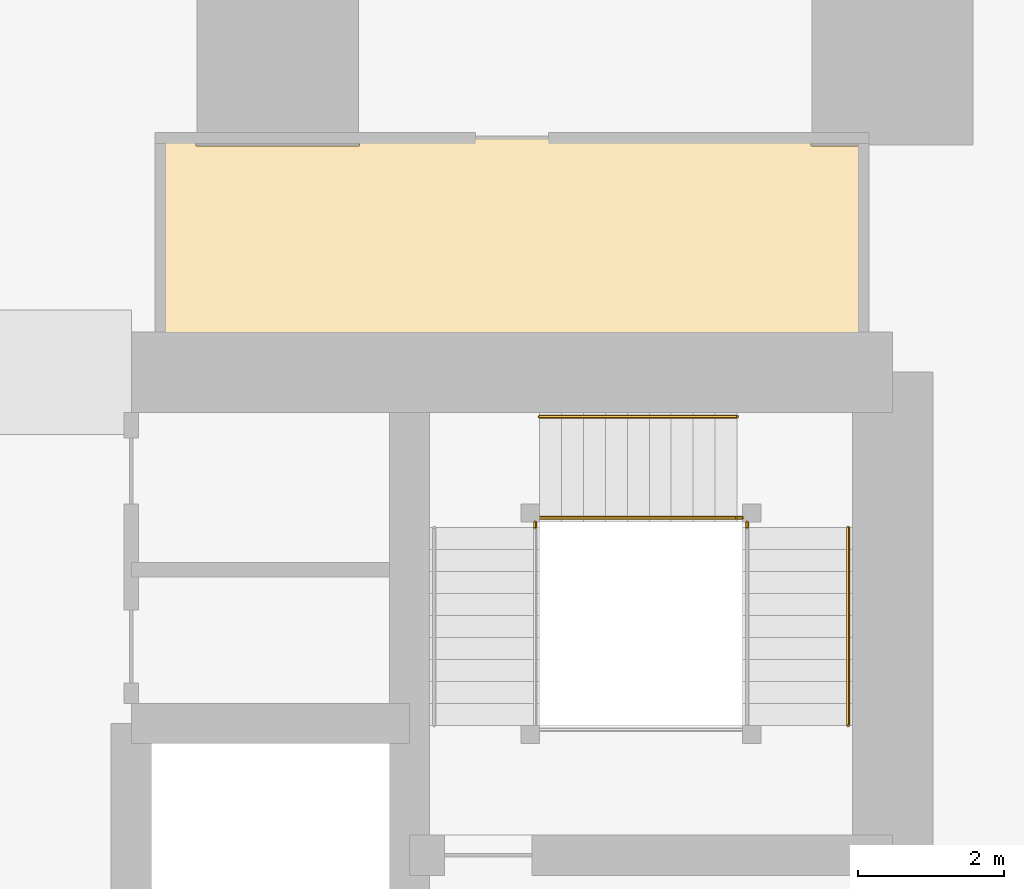
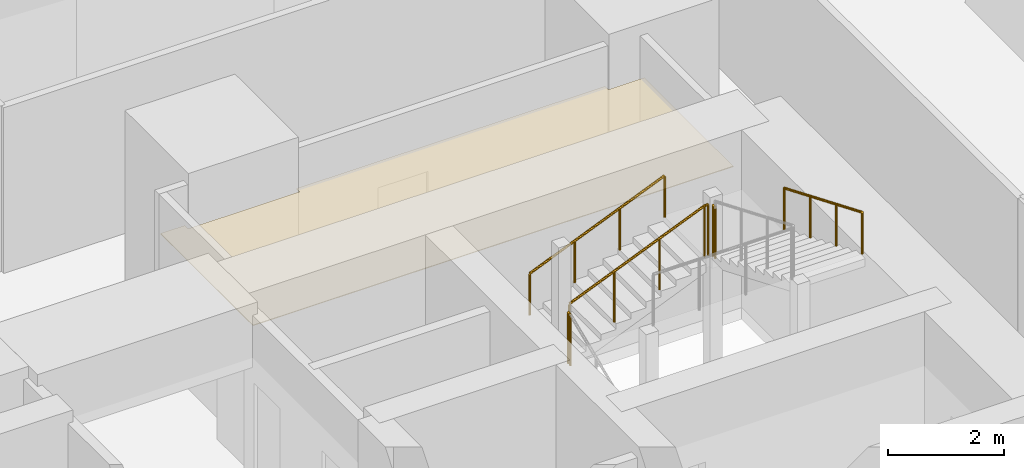
# One storey, part 43 of 44: 6 railings, 1 covering.
"""IFC4 building model written with IfcOpenShell, lengths in metres."""

import ifcopenshell
import ifcopenshell.guid

model = None  # the IFC model being written
_history = None  # IfcOwnerHistory: only IFC2X3 demands one
_inside = {}  # id of a spatial element -> (the spatial element, [elements in it])
_under = {}  # id of a project, library or spatial element -> (it, [spatial elements below it])
_declared = {}  # id of a project -> (the project, [libraries it declares])
_typed = {}  # id of a type object -> (the type object, [elements of that type])
_made_of = {}  # id of a material, layer set ... -> (it, [elements and type objects made of it])


def new_model(schema):
    """Start an empty IFC model of exactly this schema.

    Asked for "IFC4X3", IfcOpenShell would pick the latest addendum, in which some entities
    have other attributes; the version numbers below select the first issue.
    IFC2X3 requires an IfcOwnerHistory on every rooted entity: one is made here for all.
    """
    global model, _history
    if schema == "IFC4X3":
        model = ifcopenshell.file(schema_version=(4, 3, 0, 0))
    else:
        model = ifcopenshell.file(schema=schema)
    _inside.clear()
    _under.clear()
    _declared.clear()
    _typed.clear()
    _made_of.clear()
    _history = None
    if model.schema == "IFC2X3":
        org = make("IfcOrganization", Name="unknown")
        user = make(
            "IfcPersonAndOrganization",
            ThePerson=make("IfcPerson", FamilyName="unknown"),
            TheOrganization=org,
        )
        app = make(
            "IfcApplication",
            ApplicationDeveloper=org,
            Version="unknown",
            ApplicationFullName="unknown",
            ApplicationIdentifier="unknown",
        )
        _history = make(
            "IfcOwnerHistory",
            OwningUser=user,
            OwningApplication=app,
            ChangeAction="ADDED",
            CreationDate=0,
        )
    return model


def make(cls, **values):
    """One entity of the class cls with the attributes given. An attribute that is None is left unset."""
    return model.create_entity(
        cls, **{name: value for name, value in values.items() if value is not None}
    )


def rooted(cls, **values):
    """An entity with a GlobalId (a new one), such as an element, a storey or a relation."""
    return make(cls, GlobalId=ifcopenshell.guid.new(), OwnerHistory=_history, **values)


def si_unit(unit_type, name, prefix=None):
    """IfcSIUnit, for example si_unit("LENGTHUNIT", "METRE", prefix="MILLI")."""
    return make("IfcSIUnit", UnitType=unit_type, Prefix=prefix, Name=name)


def assignment(units):
    """IfcUnitAssignment: the units of a project."""
    return None if units is None else make("IfcUnitAssignment", Units=units)


def point(xyz):
    """IfcCartesianPoint."""
    return None if xyz is None else make("IfcCartesianPoint", Coordinates=xyz)


def direction(xyz):
    """IfcDirection."""
    return None if xyz is None else make("IfcDirection", DirectionRatios=xyz)


def frame(location, z_axis=None, x_axis=None):
    """IfcAxis2Placement3D, a coordinate frame: its origin and axes. An axis left out is left unset."""
    return make(
        "IfcAxis2Placement3D",
        Location=point(location),
        Axis=direction(z_axis),
        RefDirection=direction(x_axis),
    )


def frame_2d(location, x_axis=None):
    """IfcAxis2Placement2D, a coordinate frame in the plane: its origin and x axis."""
    return make(
        "IfcAxis2Placement2D", Location=point(location), RefDirection=direction(x_axis)
    )


def origin():
    """The frame at (0, 0, 0) with its axes left unset."""
    return frame((0.0, 0.0, 0.0))


def origin_2d():
    """The frame at (0, 0) in the plane with its x axis left unset."""
    return frame_2d((0.0, 0.0))


def place(relative_to, where):
    """IfcLocalPlacement: puts the frame where relative to a parent placement (None: the world)."""
    return make(
        "IfcLocalPlacement", PlacementRelTo=relative_to, RelativePlacement=where
    )


def context(
    kind, dimensions, precision=None, world=None, true_north=None, identifier=None
):
    """IfcGeometricRepresentationContext, for example the 3D "Model" context."""
    return make(
        "IfcGeometricRepresentationContext",
        ContextIdentifier=identifier,
        ContextType=kind,
        CoordinateSpaceDimension=dimensions,
        Precision=precision,
        WorldCoordinateSystem=world,
        TrueNorth=true_north,
    )


def subcontext(parent, identifier, kind, view, scale=None):
    """IfcGeometricRepresentationSubContext, for example "Body" below "Model"."""
    return make(
        "IfcGeometricRepresentationSubContext",
        ContextIdentifier=identifier,
        ContextType=kind,
        ParentContext=parent,
        TargetScale=scale,
        TargetView=view,
    )


def project(units=None, contexts=None):
    """IfcProject with its units and contexts."""
    return rooted(
        "IfcProject",
        Name="project",
        RepresentationContexts=contexts,
        UnitsInContext=assignment(units),
    )


def spatial(cls, under=None, at=None, **own):
    """A site, building, storey or space (cls), placed at a placement, below another one or the project."""
    s = rooted(cls, ObjectPlacement=at, **own)
    if under is not None:
        _under.setdefault(under.id(), (under, []))[1].append(s)
    return s


def polyline(points):
    """IfcPolyline through the points."""
    return make("IfcPolyline", Points=[point(p) for p in points])


def profile(cls, at=None, kind="AREA", **sizes):
    """A parametric profile (cls). Its sizes go by their IFC names, for example OverallWidth=200.0."""
    return make(cls, ProfileType=kind, Position=at, **sizes)


def circle(**sizes):
    """IfcCircleProfileDef."""
    return profile("IfcCircleProfileDef", **sizes)


def outline(outer, holes=None, kind="AREA"):
    """IfcArbitraryClosedProfileDef: a profile drawn as a closed curve; with holes, ...WithVoids."""
    if holes is None:
        return make("IfcArbitraryClosedProfileDef", ProfileType=kind, OuterCurve=outer)
    return make(
        "IfcArbitraryProfileDefWithVoids",
        ProfileType=kind,
        OuterCurve=outer,
        InnerCurves=holes,
    )


def extrude(swept, where, along, depth):
    """IfcExtrudedAreaSolid: the profile swept, set in the frame where, extruded along a direction by depth."""
    return make(
        "IfcExtrudedAreaSolid",
        SweptArea=swept,
        Position=where,
        ExtrudedDirection=direction(along),
        Depth=depth,
    )


def shape(context_of_items, identifier, shape_type, items):
    """IfcShapeRepresentation: the items that make up one representation, for example the "Body"."""
    return make(
        "IfcShapeRepresentation",
        ContextOfItems=context_of_items,
        RepresentationIdentifier=identifier,
        RepresentationType=shape_type,
        Items=items,
    )


def material(Name=None, Category=None):
    """IfcMaterial."""
    return make("IfcMaterial", Name=Name, Category=Category)


def layer(
    of_material, thickness, ventilated=None, Name=None, Category=None, Priority=None
):
    """IfcMaterialLayer: one layer of a wall or slab, of a material (None: an air gap)."""
    return make(
        "IfcMaterialLayer",
        Material=of_material,
        LayerThickness=thickness,
        IsVentilated=ventilated,
        Name=Name,
        Category=Category,
        Priority=Priority,
    )


def layer_set(layers, Name=None):
    """IfcMaterialLayerSet."""
    return make("IfcMaterialLayerSet", MaterialLayers=layers, LayerSetName=Name)


def made_of(thing, what):
    """Note that an element or type object is made of a material, layer set ...; save() writes the relation."""
    if what is not None:
        _made_of.setdefault(what.id(), (what, []))[1].append(thing)
    return thing


def type_object(cls, material=None, **own):
    """A type object (cls), such as IfcWallType, which elements share."""
    return made_of(rooted(cls, **own), material)


def element(
    cls,
    number,
    at=None,
    inside=None,
    cuts=None,
    type_object=None,
    material=None,
    context=None,
    identifier="Body",
    shape_type=None,
    held_by="IfcProductDefinitionShape",
    body=None,
    shapes=None,
    **own,
):
    """One element of the class cls, such as IfcWall. Its Tag is "e" and its number.

    at: its placement. inside: the storey or other place that contains it. cuts: it is an
    opening in that element (IfcRelVoidsElement). A single representation is given by context,
    identifier, shape_type and body (its items); several are given by shapes. held_by: the class
    of the entity that holds the representations. save() writes the other relations.
    """
    e = rooted(cls, Tag="e%d" % number, ObjectPlacement=at, **own)
    if body is not None:
        shapes = [shape(context, identifier, shape_type, body)]
    if shapes is not None:
        e.Representation = make(held_by, Representations=shapes)
    if inside is not None:
        _inside.setdefault(inside.id(), (inside, []))[1].append(e)
    if cuts is not None:
        rooted(
            "IfcRelVoidsElement", RelatingBuildingElement=cuts, RelatedOpeningElement=e
        )
    if type_object is not None:
        _typed.setdefault(type_object.id(), (type_object, []))[1].append(e)
    return made_of(e, material)


def aggregate(whole, parts):
    """IfcRelAggregates: a whole, such as a stair, and the parts it consists of."""
    return rooted("IfcRelAggregates", RelatingObject=whole, RelatedObjects=parts)


def save(model, path):
    """Write the relations noted so far, then the file.

    IfcRelAggregates (storeys below a building ...), IfcRelContainedInSpatialStructure (elements
    in a storey), IfcRelDefinesByType, IfcRelAssociatesMaterial and IfcRelDeclares: one each for
    every whole, place, type object, material and project.
    """
    for whole, parts in _under.values():
        aggregate(whole, parts)
    for where, things in _inside.values():
        rooted(
            "IfcRelContainedInSpatialStructure",
            RelatedElements=things,
            RelatingStructure=where,
        )
    for kind, things in _typed.values():
        rooted("IfcRelDefinesByType", RelatedObjects=things, RelatingType=kind)
    for what, things in _made_of.values():
        rooted("IfcRelAssociatesMaterial", RelatedObjects=things, RelatingMaterial=what)
    for by, libraries in _declared.values():
        rooted("IfcRelDeclares", RelatingContext=by, RelatedDefinitions=libraries)
    model.write(path)


model = new_model("IFC4")

# Units and contexts
model_context = context("Model", 3, precision=1e-05, world=origin(), true_north=direction((0.0, 1.0)))
body_context = subcontext(model_context, "Body", "Model", "MODEL_VIEW")
ifc_project = project(units=[si_unit("LENGTHUNIT", "METRE"), si_unit("AREAUNIT", "SQUARE_METRE"), si_unit("VOLUMEUNIT", "CUBIC_METRE"), si_unit("PLANEANGLEUNIT", "RADIAN"), si_unit("MASSUNIT", "GRAM", prefix="KILO")], contexts=[model_context])

# Site, building, storey
site_placement = place(None, origin())
site = spatial("IfcSite", under=ifc_project, at=site_placement, CompositionType="ELEMENT")
building_placement = place(site_placement, origin())
building = spatial("IfcBuilding", under=site, at=building_placement, Name="Rekha Terrace Tower", CompositionType="ELEMENT")
storey_placement = place(building_placement, frame((0.0, 0.0, 59.14990234375)))
storey = spatial("IfcBuildingStorey", under=building, at=storey_placement, Name="L14", CompositionType="ELEMENT", Elevation=59.14990234375)

# Covering
ifc_material_1 = material(Name="Fibre cement board", Category="finish")
ifc_layer = layer(ifc_material_1, 0.014892578125)
ifc_layer_set = layer_set([ifc_layer], Name="Fibre cement board")
covering_type = type_object("IfcCoveringType", Name="CL2 moisture-resistant board ceiling", PredefinedType="CEILING", material=ifc_layer_set)
covering_placement = place(storey_placement, frame((0.0, 0.0, 2.585205078125)))
element("IfcCovering", 1, at=covering_placement, inside=storey, type_object=covering_type, Name="Ceiling L14-WCF", PredefinedType="CEILING", context=body_context, shape_type="SweptSolid", body=[
    extrude(outline(polyline([(40.885009765625, 49.39990234375), (40.39990234375, 49.39990234375), (40.39990234375, 46.199951171875), (50.0, 46.199951171875), (50.0, 49.284912109375), (49.284912109375, 49.284912109375), (49.284912109375, 49.39990234375), (43.114990234375, 49.39990234375), (43.114990234375, 49.284912109375), (40.885009765625, 49.284912109375), (40.885009765625, 49.39990234375)])), origin(), (0.0, 0.0, 1.0), 0.014892578125),
])

# Railings
ifc_material_2 = material(Name="Stainless steel balustrade", Category="steel")
railing_type_1 = type_object("IfcRailingType", Name="GR1 1100 stair guard", PredefinedType="GUARDRAIL", material=ifc_material_2)
railing_1_placement = place(storey_placement, frame((45.574951171875, 44.2099609375, 1.375)))
element("IfcRailing", 2, at=railing_1_placement, inside=storey, type_object=railing_type_1, Name="Guard ST2 L14 flight 2", PredefinedType="GUARDRAIL", context=body_context, shape_type="SweptSolid", body=[
    extrude(circle(Radius=0.02392578125, at=origin_2d()), frame((0.0, 0.0, 1.076171875), z_axis=(0.923074453586, 0.0, 0.384621311341), x_axis=(0.0, 1.0, 0.0)), (0.0, 0.0, 1.0), 2.925048828125),
    extrude(circle(Radius=0.02099609375, at=origin_2d()), origin(), (0.0, 0.0, 1.0), 1.052001953125),
    extrude(circle(Radius=0.02099609375, at=origin_2d()), frame((0.89990234375, 0.0, 0.375)), (0.0, 0.0, 1.0), 1.052001953125),
    extrude(circle(Radius=0.02099609375, at=origin_2d()), frame((1.800048828125, 0.0, 0.75)), (0.0, 0.0, 1.0), 1.052001953125),
    extrude(circle(Radius=0.02099609375, at=origin_2d()), frame((2.699951171875, 0.0, 1.125)), (0.0, 0.0, 1.0), 1.052001953125),
])
railing_2_placement = place(storey_placement, frame((45.514892578125, 44.074951171875, 1.25)))
element("IfcRailing", 3, at=railing_2_placement, inside=storey, type_object=railing_type_1, Name="Guard ST2 L14 landing 1", PredefinedType="GUARDRAIL", context=body_context, shape_type="SweptSolid", body=[
    extrude(circle(Radius=0.02392578125, at=origin_2d()), frame((0.0, 0.0, 1.076171875), z_axis=(0.0, 1.0, 0.0), x_axis=(-1.0, 0.0, 0.0)), (0.0, 0.0, 1.0), 0.074951171875),
    extrude(circle(Radius=0.02099609375, at=origin_2d()), origin(), (0.0, 0.0, 1.0), 1.052001953125),
    extrude(circle(Radius=0.02099609375, at=origin_2d()), frame((0.0, 0.074951171875, 0.0)), (0.0, 0.0, 1.0), 1.052001953125),
])
railing_3_placement = place(storey_placement, frame((48.27490234375, 44.2099609375, 2.5)))
element("IfcRailing", 4, at=railing_3_placement, inside=storey, type_object=railing_type_1, Name="Guard ST2 L14 landing 2", PredefinedType="GUARDRAIL", context=body_context, shape_type="SweptSolid", body=[
    extrude(circle(Radius=0.02392578125, at=origin_2d()), frame((0.0, 0.0, 1.076171875), z_axis=(1.0, 0.0, 0.0), x_axis=(0.0, 1.0, 0.0)), (0.0, 0.0, 1.0), 0.0751953125),
    extrude(circle(Radius=0.02099609375, at=origin_2d()), origin(), (0.0, 0.0, 1.0), 1.052001953125),
    extrude(circle(Radius=0.02099609375, at=origin_2d()), frame((0.0751953125, 0.0, 0.0)), (0.0, 0.0, 1.0), 1.052001953125),
])
railing_4_placement = place(storey_placement, frame((48.409912109375, 44.074951171875, 2.5)))
element("IfcRailing", 5, at=railing_4_placement, inside=storey, type_object=railing_type_1, Name="Guard ST2 L14 landing 3", PredefinedType="GUARDRAIL", context=body_context, shape_type="SweptSolid", body=[
    extrude(circle(Radius=0.02392578125, at=origin_2d()), frame((0.0, 0.0, 1.076171875), z_axis=(0.0, 1.0, 0.0), x_axis=(-1.0, 0.0, 0.0)), (0.0, 0.0, 1.0), 0.074951171875),
    extrude(circle(Radius=0.02099609375, at=origin_2d()), origin(), (0.0, 0.0, 1.0), 1.052001953125),
    extrude(circle(Radius=0.02099609375, at=origin_2d()), frame((0.0, 0.074951171875, 0.0)), (0.0, 0.0, 1.0), 1.052001953125),
])
ifc_material_3 = material(Name="Stainless steel tube", Category="steel")
railing_type_2 = type_object("IfcRailingType", Name="HR1 900 stair handrail", PredefinedType="HANDRAIL", material=ifc_material_3)
railing_5_placement = place(storey_placement, frame((45.574951171875, 45.590087890625, 1.375)))
element("IfcRailing", 6, at=railing_5_placement, inside=storey, type_object=railing_type_2, Name="Handrail ST2 L14 flight 2", PredefinedType="HANDRAIL", context=body_context, shape_type="SweptSolid", body=[
    extrude(circle(Radius=0.02392578125, at=origin_2d()), frame((0.0, 0.0, 0.8759765625), z_axis=(0.923074453586, 0.0, 0.384621311341), x_axis=(0.0, 1.0, 0.0)), (0.0, 0.0, 1.0), 2.925048828125),
    extrude(circle(Radius=0.02099609375, at=origin_2d()), origin(), (0.0, 0.0, 1.0), 0.851806640625),
    extrude(circle(Radius=0.02099609375, at=origin_2d()), frame((0.89990234375, 0.0, 0.375)), (0.0, 0.0, 1.0), 0.851806640625),
    extrude(circle(Radius=0.02099609375, at=origin_2d()), frame((1.800048828125, 0.0, 0.75)), (0.0, 0.0, 1.0), 0.851806640625),
    extrude(circle(Radius=0.02099609375, at=origin_2d()), frame((2.699951171875, 0.0, 1.125)), (0.0, 0.0, 1.0), 0.851806640625),
])
railing_6_placement = place(storey_placement, frame((49.7900390625, 44.074951171875, 2.625)))
element("IfcRailing", 7, at=railing_6_placement, inside=storey, type_object=railing_type_2, Name="Handrail ST2 L14 flight 3", PredefinedType="HANDRAIL", context=body_context, shape_type="SweptSolid", body=[
    extrude(circle(Radius=0.02392578125, at=origin_2d()), frame((0.0, 0.0, 0.8759765625), z_axis=(0.0, -0.923074453586, 0.384621311341), x_axis=(1.0, 0.0, 0.0)), (0.0, 0.0, 1.0), 2.925048828125),
    extrude(circle(Radius=0.02099609375, at=origin_2d()), origin(), (0.0, 0.0, 1.0), 0.851806640625),
    extrude(circle(Radius=0.02099609375, at=origin_2d()), frame((0.0, -0.89990234375, 0.375)), (0.0, 0.0, 1.0), 0.851806640625),
    extrude(circle(Radius=0.02099609375, at=origin_2d()), frame((0.0, -1.800048828125, 0.75)), (0.0, 0.0, 1.0), 0.851806640625),
    extrude(circle(Radius=0.02099609375, at=origin_2d()), frame((0.0, -2.699951171875, 1.125)), (0.0, 0.0, 1.0), 0.851806640625),
])

save(model, "model.ifc")
